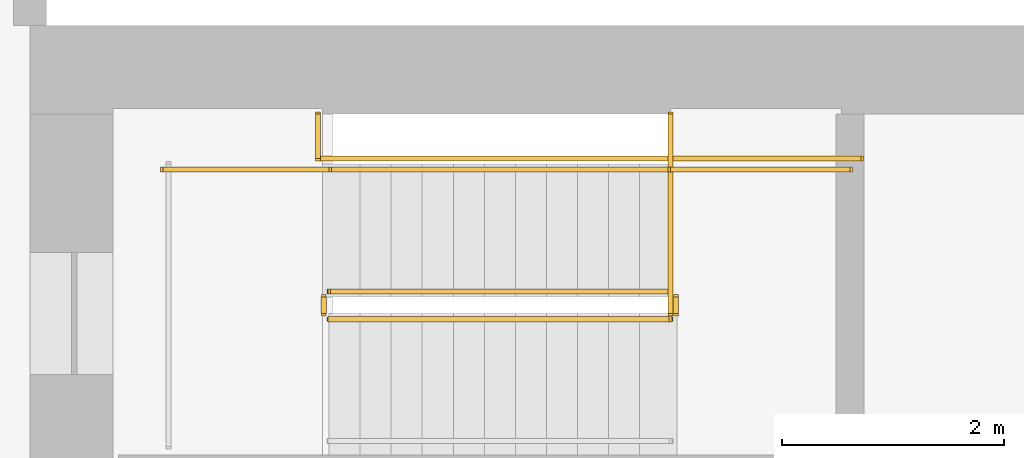
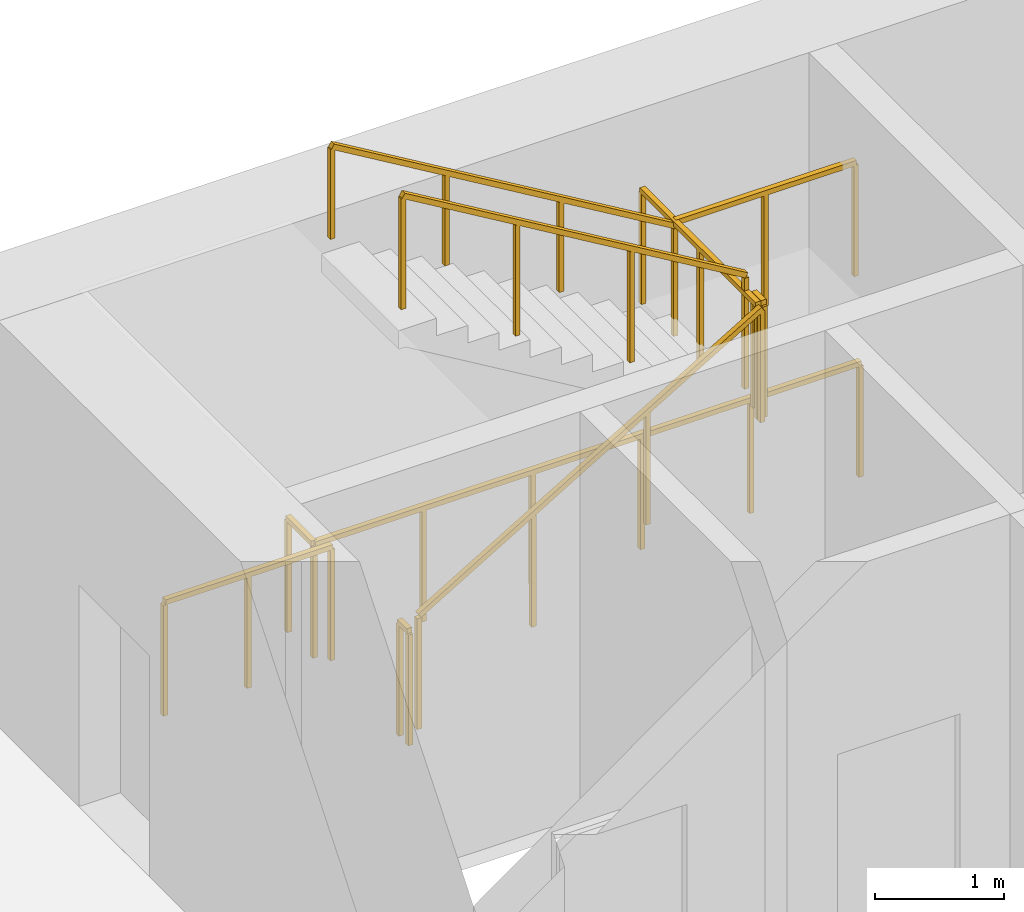
# One storey, part 12 of 12: 10 railings.
"""IFC4 building model written with IfcOpenShell, lengths in metres."""

import ifcopenshell
import ifcopenshell.guid

model = None  # the IFC model being written
_history = None  # IfcOwnerHistory: only IFC2X3 demands one
_inside = {}  # id of a spatial element -> (the spatial element, [elements in it])
_under = {}  # id of a project, library or spatial element -> (it, [spatial elements below it])
_declared = {}  # id of a project -> (the project, [libraries it declares])
_typed = {}  # id of a type object -> (the type object, [elements of that type])
_made_of = {}  # id of a material, layer set ... -> (it, [elements and type objects made of it])


def new_model(schema):
    """Start an empty IFC model of exactly this schema.

    Asked for "IFC4X3", IfcOpenShell would pick the latest addendum, in which some entities
    have other attributes; the version numbers below select the first issue.
    IFC2X3 requires an IfcOwnerHistory on every rooted entity: one is made here for all.
    """
    global model, _history
    if schema == "IFC4X3":
        model = ifcopenshell.file(schema_version=(4, 3, 0, 0))
    else:
        model = ifcopenshell.file(schema=schema)
    _inside.clear()
    _under.clear()
    _declared.clear()
    _typed.clear()
    _made_of.clear()
    _history = None
    if model.schema == "IFC2X3":
        org = make("IfcOrganization", Name="unknown")
        user = make(
            "IfcPersonAndOrganization",
            ThePerson=make("IfcPerson", FamilyName="unknown"),
            TheOrganization=org,
        )
        app = make(
            "IfcApplication",
            ApplicationDeveloper=org,
            Version="unknown",
            ApplicationFullName="unknown",
            ApplicationIdentifier="unknown",
        )
        _history = make(
            "IfcOwnerHistory",
            OwningUser=user,
            OwningApplication=app,
            ChangeAction="ADDED",
            CreationDate=0,
        )
    return model


def make(cls, **values):
    """One entity of the class cls with the attributes given. An attribute that is None is left unset."""
    return model.create_entity(
        cls, **{name: value for name, value in values.items() if value is not None}
    )


def rooted(cls, **values):
    """An entity with a GlobalId (a new one), such as an element, a storey or a relation."""
    return make(cls, GlobalId=ifcopenshell.guid.new(), OwnerHistory=_history, **values)


def si_unit(unit_type, name, prefix=None):
    """IfcSIUnit, for example si_unit("LENGTHUNIT", "METRE", prefix="MILLI")."""
    return make("IfcSIUnit", UnitType=unit_type, Prefix=prefix, Name=name)


def assignment(units):
    """IfcUnitAssignment: the units of a project."""
    return None if units is None else make("IfcUnitAssignment", Units=units)


def point(xyz):
    """IfcCartesianPoint."""
    return None if xyz is None else make("IfcCartesianPoint", Coordinates=xyz)


def direction(xyz):
    """IfcDirection."""
    return None if xyz is None else make("IfcDirection", DirectionRatios=xyz)


def frame(location, z_axis=None, x_axis=None):
    """IfcAxis2Placement3D, a coordinate frame: its origin and axes. An axis left out is left unset."""
    return make(
        "IfcAxis2Placement3D",
        Location=point(location),
        Axis=direction(z_axis),
        RefDirection=direction(x_axis),
    )


def frame_2d(location, x_axis=None):
    """IfcAxis2Placement2D, a coordinate frame in the plane: its origin and x axis."""
    return make(
        "IfcAxis2Placement2D", Location=point(location), RefDirection=direction(x_axis)
    )


def origin():
    """The frame at (0, 0, 0) with its axes left unset."""
    return frame((0.0, 0.0, 0.0))


def origin_2d():
    """The frame at (0, 0) in the plane with its x axis left unset."""
    return frame_2d((0.0, 0.0))


def place(relative_to, where):
    """IfcLocalPlacement: puts the frame where relative to a parent placement (None: the world)."""
    return make(
        "IfcLocalPlacement", PlacementRelTo=relative_to, RelativePlacement=where
    )


def context(
    kind, dimensions, precision=None, world=None, true_north=None, identifier=None
):
    """IfcGeometricRepresentationContext, for example the 3D "Model" context."""
    return make(
        "IfcGeometricRepresentationContext",
        ContextIdentifier=identifier,
        ContextType=kind,
        CoordinateSpaceDimension=dimensions,
        Precision=precision,
        WorldCoordinateSystem=world,
        TrueNorth=true_north,
    )


def subcontext(parent, identifier, kind, view, scale=None):
    """IfcGeometricRepresentationSubContext, for example "Body" below "Model"."""
    return make(
        "IfcGeometricRepresentationSubContext",
        ContextIdentifier=identifier,
        ContextType=kind,
        ParentContext=parent,
        TargetScale=scale,
        TargetView=view,
    )


def project(units=None, contexts=None):
    """IfcProject with its units and contexts."""
    return rooted(
        "IfcProject",
        Name="project",
        RepresentationContexts=contexts,
        UnitsInContext=assignment(units),
    )


def spatial(cls, under=None, at=None, **own):
    """A site, building, storey or space (cls), placed at a placement, below another one or the project."""
    s = rooted(cls, ObjectPlacement=at, **own)
    if under is not None:
        _under.setdefault(under.id(), (under, []))[1].append(s)
    return s


def profile(cls, at=None, kind="AREA", **sizes):
    """A parametric profile (cls). Its sizes go by their IFC names, for example OverallWidth=200.0."""
    return make(cls, ProfileType=kind, Position=at, **sizes)


def rectangle(**sizes):
    """IfcRectangleProfileDef."""
    return profile("IfcRectangleProfileDef", **sizes)


def extrude(swept, where, along, depth):
    """IfcExtrudedAreaSolid: the profile swept, set in the frame where, extruded along a direction by depth."""
    return make(
        "IfcExtrudedAreaSolid",
        SweptArea=swept,
        Position=where,
        ExtrudedDirection=direction(along),
        Depth=depth,
    )


def shape(context_of_items, identifier, shape_type, items):
    """IfcShapeRepresentation: the items that make up one representation, for example the "Body"."""
    return make(
        "IfcShapeRepresentation",
        ContextOfItems=context_of_items,
        RepresentationIdentifier=identifier,
        RepresentationType=shape_type,
        Items=items,
    )


def material(Name=None, Category=None):
    """IfcMaterial."""
    return make("IfcMaterial", Name=Name, Category=Category)


def made_of(thing, what):
    """Note that an element or type object is made of a material, layer set ...; save() writes the relation."""
    if what is not None:
        _made_of.setdefault(what.id(), (what, []))[1].append(thing)
    return thing


def type_object(cls, material=None, **own):
    """A type object (cls), such as IfcWallType, which elements share."""
    return made_of(rooted(cls, **own), material)


def element(
    cls,
    number,
    at=None,
    inside=None,
    cuts=None,
    type_object=None,
    material=None,
    context=None,
    identifier="Body",
    shape_type=None,
    held_by="IfcProductDefinitionShape",
    body=None,
    shapes=None,
    **own,
):
    """One element of the class cls, such as IfcWall. Its Tag is "e" and its number.

    at: its placement. inside: the storey or other place that contains it. cuts: it is an
    opening in that element (IfcRelVoidsElement). A single representation is given by context,
    identifier, shape_type and body (its items); several are given by shapes. held_by: the class
    of the entity that holds the representations. save() writes the other relations.
    """
    e = rooted(cls, Tag="e%d" % number, ObjectPlacement=at, **own)
    if body is not None:
        shapes = [shape(context, identifier, shape_type, body)]
    if shapes is not None:
        e.Representation = make(held_by, Representations=shapes)
    if inside is not None:
        _inside.setdefault(inside.id(), (inside, []))[1].append(e)
    if cuts is not None:
        rooted(
            "IfcRelVoidsElement", RelatingBuildingElement=cuts, RelatedOpeningElement=e
        )
    if type_object is not None:
        _typed.setdefault(type_object.id(), (type_object, []))[1].append(e)
    return made_of(e, material)


def aggregate(whole, parts):
    """IfcRelAggregates: a whole, such as a stair, and the parts it consists of."""
    return rooted("IfcRelAggregates", RelatingObject=whole, RelatedObjects=parts)


def save(model, path):
    """Write the relations noted so far, then the file.

    IfcRelAggregates (storeys below a building ...), IfcRelContainedInSpatialStructure (elements
    in a storey), IfcRelDefinesByType, IfcRelAssociatesMaterial and IfcRelDeclares: one each for
    every whole, place, type object, material and project.
    """
    for whole, parts in _under.values():
        aggregate(whole, parts)
    for where, things in _inside.values():
        rooted(
            "IfcRelContainedInSpatialStructure",
            RelatedElements=things,
            RelatingStructure=where,
        )
    for kind, things in _typed.values():
        rooted("IfcRelDefinesByType", RelatedObjects=things, RelatingType=kind)
    for what, things in _made_of.values():
        rooted("IfcRelAssociatesMaterial", RelatedObjects=things, RelatingMaterial=what)
    for by, libraries in _declared.values():
        rooted("IfcRelDeclares", RelatingContext=by, RelatedDefinitions=libraries)
    model.write(path)


model = new_model("IFC4")

# Units and contexts
model_context = context("Model", 3, precision=1e-05, world=origin(), true_north=direction((0.0, 1.0)))
body_context = subcontext(model_context, "Body", "Model", "MODEL_VIEW")
ifc_project = project(units=[si_unit("LENGTHUNIT", "METRE"), si_unit("AREAUNIT", "SQUARE_METRE"), si_unit("VOLUMEUNIT", "CUBIC_METRE"), si_unit("PLANEANGLEUNIT", "RADIAN"), si_unit("MASSUNIT", "GRAM", prefix="KILO")], contexts=[model_context])

# Site, building, storey
site_placement = place(None, origin())
site = spatial("IfcSite", under=ifc_project, at=site_placement, CompositionType="ELEMENT")
building_placement = place(site_placement, origin())
building = spatial("IfcBuilding", under=site, at=building_placement, Name="Sennacour Bend Tower", CompositionType="ELEMENT")
storey_placement = place(building_placement, frame((0.0, 0.0, 249.0)))
storey = spatial("IfcBuildingStorey", under=building, at=storey_placement, Name="L57", CompositionType="ELEMENT", Elevation=249.0)

# Railings
ifc_material = material(Name="Stainless steel", Category="steel")
railing_type_1 = type_object("IfcRailingType", Name="RL-GUARD-1100", PredefinedType="GUARDRAIL", material=ifc_material)
railing_1_placement = place(storey_placement, frame((56.699951171875, 19.85009765625, 0.166748046875)))
element("IfcRailing", 1, at=railing_1_placement, inside=storey, type_object=railing_type_1, Name="L57 SA2 stair guard 1", PredefinedType="GUARDRAIL", context=body_context, shape_type="SweptSolid", body=[
    extrude(rectangle(XDim=0.048095703125, YDim=0.048095703125, at=origin_2d()), frame((0.0, 0.0, 1.076171875), z_axis=(0.859308565015, 0.0, 0.511457515432), x_axis=(0.0, 1.0, 0.0)), (0.0, 0.0, 1.0), 3.58447265625),
    extrude(rectangle(XDim=0.0419921875, YDim=0.0419921875, at=origin_2d()), origin(), (0.0, 0.0, 1.0), 1.052001953125),
    extrude(rectangle(XDim=0.0419921875, YDim=0.0419921875, at=origin_2d()), frame((1.026611328125, 0.0, 0.611083984375)), (0.0, 0.0, 1.0), 1.052001953125),
    extrude(rectangle(XDim=0.0419921875, YDim=0.0419921875, at=origin_2d()), frame((2.053466796875, 0.0, 1.22216796875)), (0.0, 0.0, 1.0), 1.052001953125),
    extrude(rectangle(XDim=0.0419921875, YDim=0.0419921875, at=origin_2d()), frame((3.080078125, 0.0, 1.833251953125)), (0.0, 0.0, 1.0), 1.052001953125),
])
railing_2_placement = place(storey_placement, frame((59.830078125, 19.89990234375, 2.0)))
element("IfcRailing", 2, at=railing_2_placement, inside=storey, type_object=railing_type_1, Name="L57 SA2 stair guard 2", PredefinedType="GUARDRAIL", context=body_context, shape_type="SweptSolid", body=[
    extrude(rectangle(XDim=0.048095703125, YDim=0.048095703125, at=origin_2d()), frame((0.0, 0.0, 1.076171875), z_axis=(0.0, 1.0, 0.0), x_axis=(-1.0, 0.0, 0.0)), (0.0, 0.0, 1.0), 0.150146484375),
    extrude(rectangle(XDim=0.0419921875, YDim=0.0419921875, at=origin_2d()), origin(), (0.0, 0.0, 1.0), 1.052001953125),
    extrude(rectangle(XDim=0.0419921875, YDim=0.0419921875, at=origin_2d()), frame((0.0, 0.150146484375, 0.0)), (0.0, 0.0, 1.0), 1.052001953125),
])
railing_3_placement = place(storey_placement, frame((59.780029296875, 21.199951171875, 2.0)))
element("IfcRailing", 3, at=railing_3_placement, inside=storey, type_object=railing_type_1, Name="L57 SA2 stair guard 3", PredefinedType="GUARDRAIL", context=body_context, shape_type="SweptSolid", body=[
    extrude(rectangle(XDim=0.048095703125, YDim=0.048095703125, at=origin_2d()), frame((0.0, 0.0, 1.076171875), z_axis=(1.0, 0.0, 0.0), x_axis=(0.0, 1.0, 0.0)), (0.0, 0.0, 1.0), 1.619873046875),
    extrude(rectangle(XDim=0.0419921875, YDim=0.0419921875, at=origin_2d()), origin(), (0.0, 0.0, 1.0), 1.052001953125),
    extrude(rectangle(XDim=0.0419921875, YDim=0.0419921875, at=origin_2d()), frame((0.81005859375, 0.0, 0.0)), (0.0, 0.0, 1.0), 1.052001953125),
    extrude(rectangle(XDim=0.0419921875, YDim=0.0419921875, at=origin_2d()), frame((1.619873046875, 0.0, 0.0)), (0.0, 0.0, 1.0), 1.052001953125),
])
railing_4_placement = place(storey_placement, frame((59.780029296875, 20.10009765625, 2.166748046875)))
element("IfcRailing", 4, at=railing_4_placement, inside=storey, type_object=railing_type_1, Name="L57 SA2 stair guard 4", PredefinedType="GUARDRAIL", context=body_context, shape_type="SweptSolid", body=[
    extrude(rectangle(XDim=0.048095703125, YDim=0.048095703125, at=origin_2d()), frame((0.0, 0.0, 1.076171875), z_axis=(-0.859308565015, 0.0, 0.511457515432), x_axis=(0.0, -1.0, 0.0)), (0.0, 0.0, 1.0), 3.58447265625),
    extrude(rectangle(XDim=0.0419921875, YDim=0.0419921875, at=origin_2d()), origin(), (0.0, 0.0, 1.0), 1.052001953125),
    extrude(rectangle(XDim=0.0419921875, YDim=0.0419921875, at=origin_2d()), frame((-1.026611328125, 0.0, 0.611083984375)), (0.0, 0.0, 1.0), 1.052001953125),
    extrude(rectangle(XDim=0.0419921875, YDim=0.0419921875, at=origin_2d()), frame((-2.053466796875, 0.0, 1.22216796875)), (0.0, 0.0, 1.0), 1.052001953125),
    extrude(rectangle(XDim=0.0419921875, YDim=0.0419921875, at=origin_2d()), frame((-3.080078125, 0.0, 1.833251953125)), (0.0, 0.0, 1.0), 1.052001953125),
])
railing_5_placement = place(storey_placement, frame((56.64990234375, 19.89990234375, 0.0)))
element("IfcRailing", 5, at=railing_5_placement, inside=storey, type_object=railing_type_1, Name="L57 SA2 stair guard 5", PredefinedType="GUARDRAIL", context=body_context, shape_type="SweptSolid", body=[
    extrude(rectangle(XDim=0.048095703125, YDim=0.048095703125, at=origin_2d()), frame((0.0, 0.0, 1.076171875), z_axis=(0.0, 1.0, 0.0), x_axis=(-1.0, 0.0, 0.0)), (0.0, 0.0, 1.0), 0.150146484375),
    extrude(rectangle(XDim=0.0419921875, YDim=0.0419921875, at=origin_2d()), origin(), (0.0, 0.0, 1.0), 1.052001953125),
    extrude(rectangle(XDim=0.0419921875, YDim=0.0419921875, at=origin_2d()), frame((0.0, 0.150146484375, 0.0)), (0.0, 0.0, 1.0), 1.052001953125),
])
railing_6_placement = place(storey_placement, frame((55.199951171875, 21.199951171875, 0.0)))
element("IfcRailing", 6, at=railing_6_placement, inside=storey, type_object=railing_type_1, Name="L57 SA2 stair guard 6", PredefinedType="GUARDRAIL", context=body_context, shape_type="SweptSolid", body=[
    extrude(rectangle(XDim=0.048095703125, YDim=0.048095703125, at=origin_2d()), frame((0.0, 0.0, 1.076171875), z_axis=(1.0, 0.0, 0.0), x_axis=(0.0, 1.0, 0.0)), (0.0, 0.0, 1.0), 1.5),
    extrude(rectangle(XDim=0.0419921875, YDim=0.0419921875, at=origin_2d()), origin(), (0.0, 0.0, 1.0), 1.052001953125),
    extrude(rectangle(XDim=0.0419921875, YDim=0.0419921875, at=origin_2d()), frame((0.75, 0.0, 0.0)), (0.0, 0.0, 1.0), 1.052001953125),
    extrude(rectangle(XDim=0.0419921875, YDim=0.0419921875, at=origin_2d()), frame((1.5, 0.0, 0.0)), (0.0, 0.0, 1.0), 1.052001953125),
])
railing_7_placement = place(storey_placement, frame((56.60009765625, 21.300048828125, 0.0)))
element("IfcRailing", 7, at=railing_7_placement, inside=storey, type_object=railing_type_1, Name="L57 SA2 stair guard 8", PredefinedType="GUARDRAIL", context=body_context, shape_type="SweptSolid", body=[
    extrude(rectangle(XDim=0.048095703125, YDim=0.048095703125, at=origin_2d()), frame((0.0, 0.0, 1.076171875), z_axis=(1.0, 0.0, 0.0), x_axis=(0.0, 1.0, 0.0)), (0.0, 0.0, 1.0), 4.89990234375),
    extrude(rectangle(XDim=0.0419921875, YDim=0.0419921875, at=origin_2d()), origin(), (0.0, 0.0, 1.0), 1.052001953125),
    extrude(rectangle(XDim=0.0419921875, YDim=0.0419921875, at=origin_2d()), frame((0.97998046875, 0.0, 0.0)), (0.0, 0.0, 1.0), 1.052001953125),
    extrude(rectangle(XDim=0.0419921875, YDim=0.0419921875, at=origin_2d()), frame((1.9599609375, 0.0, 0.0)), (0.0, 0.0, 1.0), 1.052001953125),
    extrude(rectangle(XDim=0.0419921875, YDim=0.0419921875, at=origin_2d()), frame((2.93994140625, 0.0, 0.0)), (0.0, 0.0, 1.0), 1.052001953125),
    extrude(rectangle(XDim=0.0419921875, YDim=0.0419921875, at=origin_2d()), frame((3.919921875, 0.0, 0.0)), (0.0, 0.0, 1.0), 1.052001953125),
    extrude(rectangle(XDim=0.0419921875, YDim=0.0419921875, at=origin_2d()), frame((4.89990234375, 0.0, 0.0)), (0.0, 0.0, 1.0), 1.052001953125),
])
railing_8_placement = place(storey_placement, frame((59.780029296875, 19.89990234375, 2.0)))
element("IfcRailing", 8, at=railing_8_placement, inside=storey, type_object=railing_type_1, Name="L57 SA2 landing edge guard 77", PredefinedType="GUARDRAIL", context=body_context, shape_type="SweptSolid", body=[
    extrude(rectangle(XDim=0.048095703125, YDim=0.048095703125, at=origin_2d()), frame((0.0, 0.0, 1.076171875), z_axis=(0.0, 1.0, 0.0), x_axis=(-1.0, 0.0, 0.0)), (0.0, 0.0, 1.0), 1.800048828125),
    extrude(rectangle(XDim=0.0419921875, YDim=0.0419921875, at=origin_2d()), origin(), (0.0, 0.0, 1.0), 1.052001953125),
    extrude(rectangle(XDim=0.0419921875, YDim=0.0419921875, at=origin_2d()), frame((0.0, 0.89990234375, 0.0)), (0.0, 0.0, 1.0), 1.052001953125),
    extrude(rectangle(XDim=0.0419921875, YDim=0.0419921875, at=origin_2d()), frame((0.0, 1.800048828125, 0.0)), (0.0, 0.0, 1.0), 1.052001953125),
])
railing_9_placement = place(storey_placement, frame((56.60009765625, 21.300048828125, 0.0)))
element("IfcRailing", 9, at=railing_9_placement, inside=storey, type_object=railing_type_1, Name="L57 SA2 landing edge guard 111", PredefinedType="GUARDRAIL", context=body_context, shape_type="SweptSolid", body=[
    extrude(rectangle(XDim=0.048095703125, YDim=0.048095703125, at=origin_2d()), frame((0.0, 0.0, 1.076171875), z_axis=(0.0, 1.0, 0.0), x_axis=(-1.0, 0.0, 0.0)), (0.0, 0.0, 1.0), 0.39990234375),
    extrude(rectangle(XDim=0.0419921875, YDim=0.0419921875, at=origin_2d()), origin(), (0.0, 0.0, 1.0), 1.052001953125),
    extrude(rectangle(XDim=0.0419921875, YDim=0.0419921875, at=origin_2d()), frame((0.0, 0.39990234375, 0.0)), (0.0, 0.0, 1.0), 1.052001953125),
])
railing_type_2 = type_object("IfcRailingType", Name="RL-HANDRAIL-900", PredefinedType="HANDRAIL", material=ifc_material)
railing_10_placement = place(storey_placement, frame((59.780029296875, 21.199951171875, 2.166748046875)))
element("IfcRailing", 10, at=railing_10_placement, inside=storey, type_object=railing_type_2, Name="L57 SA2 stair handrail 2", PredefinedType="HANDRAIL", context=body_context, shape_type="SweptSolid", body=[
    extrude(rectangle(XDim=0.048095703125, YDim=0.048095703125, at=origin_2d()), frame((0.0, 0.0, 0.8759765625), z_axis=(-0.859308565015, 0.0, 0.511457515432), x_axis=(0.0, -1.0, 0.0)), (0.0, 0.0, 1.0), 3.58447265625),
    extrude(rectangle(XDim=0.0419921875, YDim=0.0419921875, at=origin_2d()), origin(), (0.0, 0.0, 1.0), 0.851806640625),
    extrude(rectangle(XDim=0.0419921875, YDim=0.0419921875, at=origin_2d()), frame((-1.026611328125, 0.0, 0.611083984375)), (0.0, 0.0, 1.0), 0.851806640625),
    extrude(rectangle(XDim=0.0419921875, YDim=0.0419921875, at=origin_2d()), frame((-2.053466796875, 0.0, 1.22216796875)), (0.0, 0.0, 1.0), 0.851806640625),
    extrude(rectangle(XDim=0.0419921875, YDim=0.0419921875, at=origin_2d()), frame((-3.080078125, 0.0, 1.833251953125)), (0.0, 0.0, 1.0), 0.851806640625),
])

save(model, "model.ifc")
